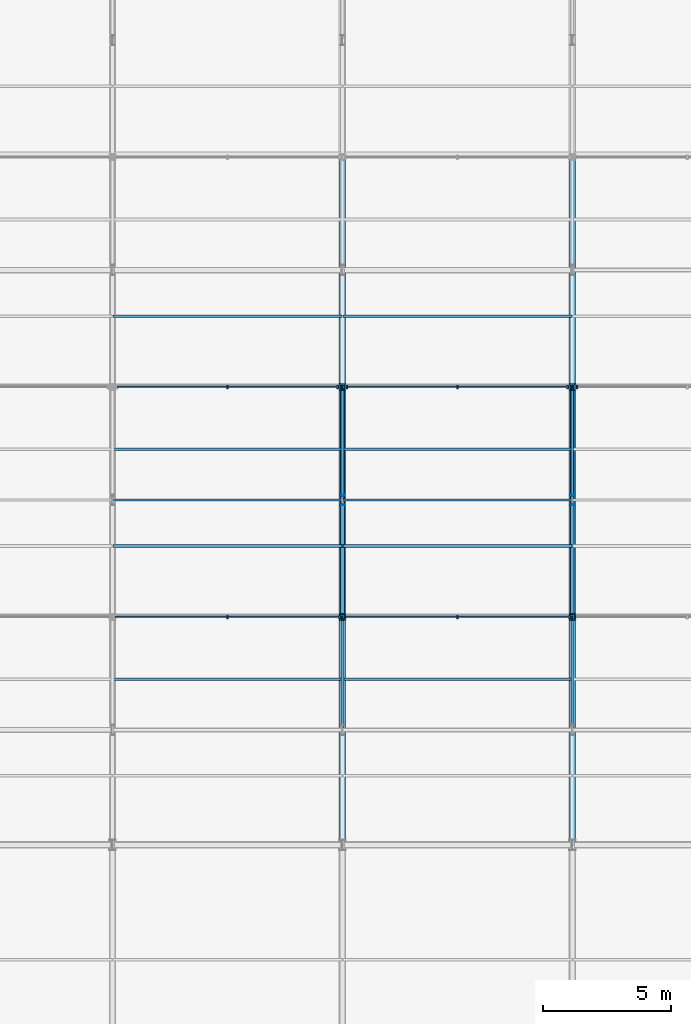
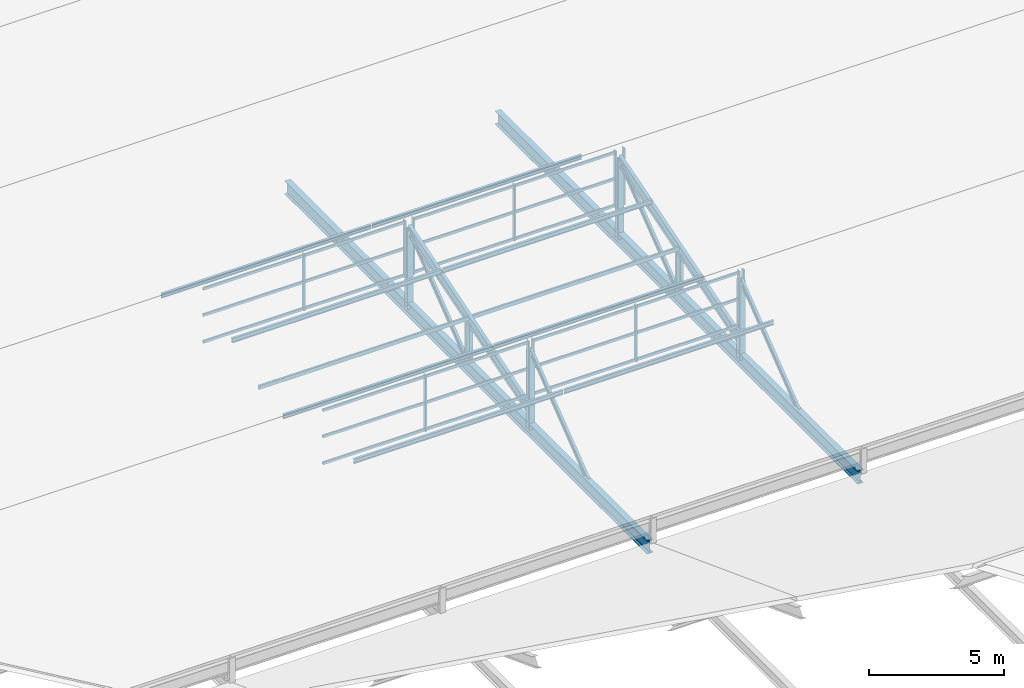
# One storey, part 51 of 163: 58 members, 2 beams, 6 elements without a shape of their own.
"""IFC4 building model written with IfcOpenShell, lengths in metres."""

from ifc_helpers import new_model, si_unit, direction, frame, origin, origin_2d, place, context, subcontext, project, spatial, rectangle, hollow_rectangle, i_section, extrude, material, material_profile, profile_set, type_object, element, aggregate, save


model = new_model("IFC4")

# Units and contexts
model_context = context("Model", 3, precision=1e-05, world=origin(), true_north=direction((0.0, 1.0)))
body_context = subcontext(model_context, "Body", "Model", "MODEL_VIEW")
ifc_project = project(units=[si_unit("LENGTHUNIT", "METRE"), si_unit("AREAUNIT", "SQUARE_METRE"), si_unit("VOLUMEUNIT", "CUBIC_METRE"), si_unit("PLANEANGLEUNIT", "RADIAN"), si_unit("MASSUNIT", "GRAM", prefix="KILO")], contexts=[model_context])

# Site, building, storey
site_placement = place(None, origin())
site = spatial("IfcSite", under=ifc_project, at=site_placement, CompositionType="ELEMENT")
building_placement = place(site_placement, origin())
building = spatial("IfcBuilding", under=site, at=building_placement, Name="Tharagai Park Tramway Depot", CompositionType="ELEMENT")
storey_placement = place(building_placement, frame((0.0, 0.0, 8.39990234375)))
storey = spatial("IfcBuildingStorey", under=building, at=storey_placement, Name="L02", CompositionType="ELEMENT", Elevation=8.39990234375)

# Beams
ifc_material_1 = material(Name="Steel E350", Category="steel")
ifc_material_profile_1 = material_profile(ifc_material_1, i_section(OverallWidth=0.25, OverallDepth=0.60009765625, WebThickness=0.01171875, FlangeThickness=0.023681640625, FilletRadius=0.01708984375, at=origin_2d()), Name="ISWB 600")
ifc_profile_set_1 = profile_set([ifc_material_profile_1], Name="Steel E350")
beam_type = type_object("IfcBeamType", Name="BM-01", PredefinedType="BEAM", material=ifc_profile_set_1)
for number, where, z_axis, x_axis, name in (
    (1, (54.0, 90.080078125, -0.25), (0.0, 1.0, 0.0), (-1.0, 0.0, 0.0), "Sawtooth Truss Bottom Tie Girder BM-01"),
    (2, (63.0, 90.080078125, -0.25), (0.0, 1.0, 0.0), (-1.0, 0.0, 0.0), "Sawtooth Truss Bottom Tie Girder BM-01"),
):
    element("IfcBeam", number, at=place(storey_placement, frame(where, z_axis=z_axis, x_axis=x_axis)), inside=storey, type_object=beam_type, Name=name, PredefinedType="BEAM", context=body_context, shape_type="SweptSolid", body=[
        extrude(i_section(OverallWidth=0.25, OverallDepth=0.60009765625, WebThickness=0.01171875, FlangeThickness=0.023681640625, FilletRadius=0.01708984375, at=origin_2d()), origin(), (0.0, 0.0, 1.0), 26.83984375),
    ])

# Members
ifc_material_profile_2 = material_profile(ifc_material_1, i_section(OverallWidth=0.25, OverallDepth=0.25, WebThickness=0.0087890625, FlangeThickness=0.009765625, FilletRadius=0.010009765625, at=origin_2d()), Name="ISHB 250")
ifc_profile_set_2 = profile_set([ifc_material_profile_2], Name="Steel E350")
member_type_1 = type_object("IfcMemberType", Name="BR-01", PredefinedType="BRACE", material=ifc_profile_set_2)
for number, where, z_axis, x_axis, name in (
    (3, (54.0, 98.919921875, -0.25), (0.0, 0.0, 1.0), (1.0, 0.0, 0.0), "Sawtooth North Vertical Post BR-01"),
    (4, (54.0, 107.919921875, -0.25), (0.0, 0.0, 1.0), (1.0, 0.0, 0.0), "Sawtooth North Vertical Post BR-01"),
    (5, (63.0, 98.919921875, -0.25), (0.0, 0.0, 1.0), (1.0, 0.0, 0.0), "Sawtooth North Vertical Post BR-01"),
    (6, (63.0, 107.919921875, -0.25), (0.0, 0.0, 1.0), (1.0, 0.0, 0.0), "Sawtooth North Vertical Post BR-01"),
):
    element("IfcMember", number, at=place(storey_placement, frame(where, z_axis=z_axis, x_axis=x_axis)), inside=storey, type_object=member_type_1, Name=name, PredefinedType="BRACE", context=body_context, shape_type="SweptSolid", body=[
        extrude(i_section(OverallWidth=0.25, OverallDepth=0.25, WebThickness=0.0087890625, FlangeThickness=0.009765625, FilletRadius=0.010009765625, at=origin_2d()), origin(), (0.0, 0.0, 1.0), 3.55517578125),
    ])
ifc_material_profile_3 = material_profile(ifc_material_1, i_section(OverallWidth=0.110107421875, OverallDepth=0.22509765625, WebThickness=0.006591796875, FlangeThickness=0.01171875, FilletRadius=0.011962890625, at=origin_2d()), Name="ISMB 225")
ifc_profile_set_3 = profile_set([ifc_material_profile_3], Name="Steel E350")
member_type_2 = type_object("IfcMemberType", Name="BR-04", PredefinedType="BRACE", material=ifc_profile_set_3)
for number, where, z_axis, x_axis, name in (
    (7, (54.0, 94.64990234375, 0.0), (0.0, 0.790781596, 0.612098413188), (-1.0, 0.0, 0.0), "Sawtooth Truss Web Diagonal BR-04"),
    (8, (54.0, 103.64990234375, 0.0), (0.0, 0.790781596, 0.612098413188), (-1.0, 0.0, 0.0), "Sawtooth Truss Web Diagonal BR-04"),
    (9, (63.0, 94.64990234375, 0.0), (0.0, 0.790781596, 0.612098413188), (-1.0, 0.0, 0.0), "Sawtooth Truss Web Diagonal BR-04"),
    (10, (63.0, 103.64990234375, 0.0), (0.0, 0.790781596, 0.612098413188), (-1.0, 0.0, 0.0), "Sawtooth Truss Web Diagonal BR-04"),
):
    element("IfcMember", number, at=place(storey_placement, frame(where, z_axis=z_axis, x_axis=x_axis)), inside=storey, type_object=member_type_2, Name=name, PredefinedType="BRACE", context=body_context, shape_type="SweptSolid", body=[
        extrude(i_section(OverallWidth=0.110107421875, OverallDepth=0.22509765625, WebThickness=0.006591796875, FlangeThickness=0.01171875, FilletRadius=0.011962890625, at=origin_2d()), origin(), (0.0, 0.0, 1.0), 5.399658203125),
    ])

# Curtain wall, members
ifc_material_2 = material(Name="Anodised aluminium", Category="aluminium")
curtain_wall_type_1 = type_object("IfcCurtainWallType", Name="CW-04", PredefinedType="NOTDEFINED", material=ifc_material_2)
curtain_wall_1_placement = place(storey_placement, origin())
curtain_wall_1 = element("IfcCurtainWall", 11, at=curtain_wall_1_placement, inside=storey, type_object=curtain_wall_type_1, Name="Sawtooth North-Light Clerestory CW-04", PredefinedType="NOTDEFINED")
ifc_material_profile_4 = material_profile(ifc_material_2, rectangle(XDim=0.06494140625, YDim=0.1201171875, at=origin_2d()), Name="ALU 65x120")
ifc_profile_set_4 = profile_set([ifc_material_profile_4], Name="Anodised aluminium")
member_type_3 = type_object("IfcMemberType", Name="CM-01", PredefinedType="USERDEFINED", material=ifc_profile_set_4)
member_1_placement = place(storey_placement, frame((45.114990234375, 98.919921875, 1.26513671875), z_axis=(1.0, 0.0, 0.0), x_axis=(0.0, 1.0, 0.0)))
member_1 = element("IfcMember", 12, at=member_1_placement, type_object=member_type_3, Name="Sawtooth North-Light Clerestory Transom 1.1", ObjectType="TRANSOM", PredefinedType="USERDEFINED", context=body_context, shape_type="SweptSolid", body=[
    extrude(rectangle(XDim=0.06494140625, YDim=0.1201171875, at=origin_2d()), origin(), (0.0, 0.0, 1.0), 4.3701171875),
])
member_2_placement = place(storey_placement, frame((45.114990234375, 98.919921875, 2.4736328125), z_axis=(1.0, 0.0, 0.0), x_axis=(0.0, 1.0, 0.0)))
member_2 = element("IfcMember", 13, at=member_2_placement, type_object=member_type_3, Name="Sawtooth North-Light Clerestory Transom 1.2", ObjectType="TRANSOM", PredefinedType="USERDEFINED", context=body_context, shape_type="SweptSolid", body=[
    extrude(rectangle(XDim=0.06494140625, YDim=0.1201171875, at=origin_2d()), origin(), (0.0, 0.0, 1.0), 4.3701171875),
])
member_3_placement = place(storey_placement, frame((45.114990234375, 98.919921875, 3.662353515625), z_axis=(1.0, 0.0, 0.0), x_axis=(0.0, 1.0, 0.0)))
member_3 = element("IfcMember", 14, at=member_3_placement, type_object=member_type_3, Name="Sawtooth North-Light Clerestory Transom 1.3", ObjectType="TRANSOM", PredefinedType="USERDEFINED", context=body_context, shape_type="SweptSolid", body=[
    extrude(rectangle(XDim=0.06494140625, YDim=0.1201171875, at=origin_2d()), origin(), (0.0, 0.0, 1.0), 4.3701171875),
])
member_4_placement = place(storey_placement, frame((49.514892578125, 98.919921875, 1.26513671875), z_axis=(1.0, 0.0, 0.0), x_axis=(0.0, 1.0, 0.0)))
member_4 = element("IfcMember", 15, at=member_4_placement, type_object=member_type_3, Name="Sawtooth North-Light Clerestory Transom 2.1", ObjectType="TRANSOM", PredefinedType="USERDEFINED", context=body_context, shape_type="SweptSolid", body=[
    extrude(rectangle(XDim=0.06494140625, YDim=0.1201171875, at=origin_2d()), origin(), (0.0, 0.0, 1.0), 4.3701171875),
])
member_5_placement = place(storey_placement, frame((49.514892578125, 98.919921875, 2.4736328125), z_axis=(1.0, 0.0, 0.0), x_axis=(0.0, 1.0, 0.0)))
member_5 = element("IfcMember", 16, at=member_5_placement, type_object=member_type_3, Name="Sawtooth North-Light Clerestory Transom 2.2", ObjectType="TRANSOM", PredefinedType="USERDEFINED", context=body_context, shape_type="SweptSolid", body=[
    extrude(rectangle(XDim=0.06494140625, YDim=0.1201171875, at=origin_2d()), origin(), (0.0, 0.0, 1.0), 4.3701171875),
])
member_6_placement = place(storey_placement, frame((49.514892578125, 98.919921875, 3.662353515625), z_axis=(1.0, 0.0, 0.0), x_axis=(0.0, 1.0, 0.0)))
member_6 = element("IfcMember", 17, at=member_6_placement, type_object=member_type_3, Name="Sawtooth North-Light Clerestory Transom 2.3", ObjectType="TRANSOM", PredefinedType="USERDEFINED", context=body_context, shape_type="SweptSolid", body=[
    extrude(rectangle(XDim=0.06494140625, YDim=0.1201171875, at=origin_2d()), origin(), (0.0, 0.0, 1.0), 4.3701171875),
])

curtain_wall_2_placement = place(storey_placement, origin())
curtain_wall_2 = element("IfcCurtainWall", 18, at=curtain_wall_2_placement, inside=storey, type_object=curtain_wall_type_1, Name="Sawtooth North-Light Clerestory CW-04", PredefinedType="NOTDEFINED")
member_7_placement = place(storey_placement, frame((54.114990234375, 98.919921875, 1.26513671875), z_axis=(1.0, 0.0, 0.0), x_axis=(0.0, 1.0, 0.0)))
member_7 = element("IfcMember", 19, at=member_7_placement, type_object=member_type_3, Name="Sawtooth North-Light Clerestory Transom 1.1", ObjectType="TRANSOM", PredefinedType="USERDEFINED", context=body_context, shape_type="SweptSolid", body=[
    extrude(rectangle(XDim=0.06494140625, YDim=0.1201171875, at=origin_2d()), origin(), (0.0, 0.0, 1.0), 4.3701171875),
])
member_8_placement = place(storey_placement, frame((54.114990234375, 98.919921875, 2.4736328125), z_axis=(1.0, 0.0, 0.0), x_axis=(0.0, 1.0, 0.0)))
member_8 = element("IfcMember", 20, at=member_8_placement, type_object=member_type_3, Name="Sawtooth North-Light Clerestory Transom 1.2", ObjectType="TRANSOM", PredefinedType="USERDEFINED", context=body_context, shape_type="SweptSolid", body=[
    extrude(rectangle(XDim=0.06494140625, YDim=0.1201171875, at=origin_2d()), origin(), (0.0, 0.0, 1.0), 4.3701171875),
])
member_9_placement = place(storey_placement, frame((54.114990234375, 98.919921875, 3.662353515625), z_axis=(1.0, 0.0, 0.0), x_axis=(0.0, 1.0, 0.0)))
member_9 = element("IfcMember", 21, at=member_9_placement, type_object=member_type_3, Name="Sawtooth North-Light Clerestory Transom 1.3", ObjectType="TRANSOM", PredefinedType="USERDEFINED", context=body_context, shape_type="SweptSolid", body=[
    extrude(rectangle(XDim=0.06494140625, YDim=0.1201171875, at=origin_2d()), origin(), (0.0, 0.0, 1.0), 4.3701171875),
])
member_10_placement = place(storey_placement, frame((58.514892578125, 98.919921875, 1.26513671875), z_axis=(1.0, 0.0, 0.0), x_axis=(0.0, 1.0, 0.0)))
member_10 = element("IfcMember", 22, at=member_10_placement, type_object=member_type_3, Name="Sawtooth North-Light Clerestory Transom 2.1", ObjectType="TRANSOM", PredefinedType="USERDEFINED", context=body_context, shape_type="SweptSolid", body=[
    extrude(rectangle(XDim=0.06494140625, YDim=0.1201171875, at=origin_2d()), origin(), (0.0, 0.0, 1.0), 4.3701171875),
])
member_11_placement = place(storey_placement, frame((58.514892578125, 98.919921875, 2.4736328125), z_axis=(1.0, 0.0, 0.0), x_axis=(0.0, 1.0, 0.0)))
member_11 = element("IfcMember", 23, at=member_11_placement, type_object=member_type_3, Name="Sawtooth North-Light Clerestory Transom 2.2", ObjectType="TRANSOM", PredefinedType="USERDEFINED", context=body_context, shape_type="SweptSolid", body=[
    extrude(rectangle(XDim=0.06494140625, YDim=0.1201171875, at=origin_2d()), origin(), (0.0, 0.0, 1.0), 4.3701171875),
])
member_12_placement = place(storey_placement, frame((58.514892578125, 98.919921875, 3.662353515625), z_axis=(1.0, 0.0, 0.0), x_axis=(0.0, 1.0, 0.0)))
member_12 = element("IfcMember", 24, at=member_12_placement, type_object=member_type_3, Name="Sawtooth North-Light Clerestory Transom 2.3", ObjectType="TRANSOM", PredefinedType="USERDEFINED", context=body_context, shape_type="SweptSolid", body=[
    extrude(rectangle(XDim=0.06494140625, YDim=0.1201171875, at=origin_2d()), origin(), (0.0, 0.0, 1.0), 4.3701171875),
])

curtain_wall_type_2 = type_object("IfcCurtainWallType", Name="CW-03", PredefinedType="NOTDEFINED", material=ifc_material_2)
curtain_wall_3_placement = place(storey_placement, origin())
curtain_wall_3 = element("IfcCurtainWall", 25, at=curtain_wall_3_placement, inside=storey, type_object=curtain_wall_type_2, Name="Sawtooth North-Light Clerestory CW-03", PredefinedType="NOTDEFINED")
member_13_placement = place(storey_placement, frame((45.195068359375, 107.919921875, 1.26513671875), z_axis=(1.0, 0.0, 0.0), x_axis=(0.0, 1.0, 0.0)))
member_13 = element("IfcMember", 26, at=member_13_placement, type_object=member_type_3, Name="Sawtooth North-Light Clerestory Transom 1.1", ObjectType="TRANSOM", PredefinedType="USERDEFINED", context=body_context, shape_type="SweptSolid", body=[
    extrude(rectangle(XDim=0.06494140625, YDim=0.1201171875, at=origin_2d()), origin(), (0.0, 0.0, 1.0), 4.2900390625),
])
member_14_placement = place(storey_placement, frame((45.195068359375, 107.919921875, 2.4736328125), z_axis=(1.0, 0.0, 0.0), x_axis=(0.0, 1.0, 0.0)))
member_14 = element("IfcMember", 27, at=member_14_placement, type_object=member_type_3, Name="Sawtooth North-Light Clerestory Transom 1.2", ObjectType="TRANSOM", PredefinedType="USERDEFINED", context=body_context, shape_type="SweptSolid", body=[
    extrude(rectangle(XDim=0.06494140625, YDim=0.1201171875, at=origin_2d()), origin(), (0.0, 0.0, 1.0), 4.2900390625),
])
member_15_placement = place(storey_placement, frame((45.195068359375, 107.919921875, 3.662353515625), z_axis=(1.0, 0.0, 0.0), x_axis=(0.0, 1.0, 0.0)))
member_15 = element("IfcMember", 28, at=member_15_placement, type_object=member_type_3, Name="Sawtooth North-Light Clerestory Transom 1.3", ObjectType="TRANSOM", PredefinedType="USERDEFINED", context=body_context, shape_type="SweptSolid", body=[
    extrude(rectangle(XDim=0.06494140625, YDim=0.1201171875, at=origin_2d()), origin(), (0.0, 0.0, 1.0), 4.2900390625),
])
member_16_placement = place(storey_placement, frame((49.514892578125, 107.919921875, 1.26513671875), z_axis=(1.0, 0.0, 0.0), x_axis=(0.0, 1.0, 0.0)))
member_16 = element("IfcMember", 29, at=member_16_placement, type_object=member_type_3, Name="Sawtooth North-Light Clerestory Transom 2.1", ObjectType="TRANSOM", PredefinedType="USERDEFINED", context=body_context, shape_type="SweptSolid", body=[
    extrude(rectangle(XDim=0.06494140625, YDim=0.1201171875, at=origin_2d()), origin(), (0.0, 0.0, 1.0), 4.2900390625),
])
member_17_placement = place(storey_placement, frame((49.514892578125, 107.919921875, 2.4736328125), z_axis=(1.0, 0.0, 0.0), x_axis=(0.0, 1.0, 0.0)))
member_17 = element("IfcMember", 30, at=member_17_placement, type_object=member_type_3, Name="Sawtooth North-Light Clerestory Transom 2.2", ObjectType="TRANSOM", PredefinedType="USERDEFINED", context=body_context, shape_type="SweptSolid", body=[
    extrude(rectangle(XDim=0.06494140625, YDim=0.1201171875, at=origin_2d()), origin(), (0.0, 0.0, 1.0), 4.2900390625),
])
member_18_placement = place(storey_placement, frame((49.514892578125, 107.919921875, 3.662353515625), z_axis=(1.0, 0.0, 0.0), x_axis=(0.0, 1.0, 0.0)))
member_18 = element("IfcMember", 31, at=member_18_placement, type_object=member_type_3, Name="Sawtooth North-Light Clerestory Transom 2.3", ObjectType="TRANSOM", PredefinedType="USERDEFINED", context=body_context, shape_type="SweptSolid", body=[
    extrude(rectangle(XDim=0.06494140625, YDim=0.1201171875, at=origin_2d()), origin(), (0.0, 0.0, 1.0), 4.2900390625),
])

curtain_wall_4_placement = place(storey_placement, origin())
curtain_wall_4 = element("IfcCurtainWall", 32, at=curtain_wall_4_placement, inside=storey, type_object=curtain_wall_type_2, Name="Sawtooth North-Light Clerestory CW-03", PredefinedType="NOTDEFINED")
member_19_placement = place(storey_placement, frame((54.195068359375, 107.919921875, 1.26513671875), z_axis=(1.0, 0.0, 0.0), x_axis=(0.0, 1.0, 0.0)))
member_19 = element("IfcMember", 33, at=member_19_placement, type_object=member_type_3, Name="Sawtooth North-Light Clerestory Transom 1.1", ObjectType="TRANSOM", PredefinedType="USERDEFINED", context=body_context, shape_type="SweptSolid", body=[
    extrude(rectangle(XDim=0.06494140625, YDim=0.1201171875, at=origin_2d()), origin(), (0.0, 0.0, 1.0), 4.2900390625),
])
member_20_placement = place(storey_placement, frame((54.195068359375, 107.919921875, 2.4736328125), z_axis=(1.0, 0.0, 0.0), x_axis=(0.0, 1.0, 0.0)))
member_20 = element("IfcMember", 34, at=member_20_placement, type_object=member_type_3, Name="Sawtooth North-Light Clerestory Transom 1.2", ObjectType="TRANSOM", PredefinedType="USERDEFINED", context=body_context, shape_type="SweptSolid", body=[
    extrude(rectangle(XDim=0.06494140625, YDim=0.1201171875, at=origin_2d()), origin(), (0.0, 0.0, 1.0), 4.2900390625),
])
member_21_placement = place(storey_placement, frame((54.195068359375, 107.919921875, 3.662353515625), z_axis=(1.0, 0.0, 0.0), x_axis=(0.0, 1.0, 0.0)))
member_21 = element("IfcMember", 35, at=member_21_placement, type_object=member_type_3, Name="Sawtooth North-Light Clerestory Transom 1.3", ObjectType="TRANSOM", PredefinedType="USERDEFINED", context=body_context, shape_type="SweptSolid", body=[
    extrude(rectangle(XDim=0.06494140625, YDim=0.1201171875, at=origin_2d()), origin(), (0.0, 0.0, 1.0), 4.2900390625),
])
member_22_placement = place(storey_placement, frame((58.514892578125, 107.919921875, 1.26513671875), z_axis=(1.0, 0.0, 0.0), x_axis=(0.0, 1.0, 0.0)))
member_22 = element("IfcMember", 36, at=member_22_placement, type_object=member_type_3, Name="Sawtooth North-Light Clerestory Transom 2.1", ObjectType="TRANSOM", PredefinedType="USERDEFINED", context=body_context, shape_type="SweptSolid", body=[
    extrude(rectangle(XDim=0.06494140625, YDim=0.1201171875, at=origin_2d()), origin(), (0.0, 0.0, 1.0), 4.2900390625),
])
member_23_placement = place(storey_placement, frame((58.514892578125, 107.919921875, 2.4736328125), z_axis=(1.0, 0.0, 0.0), x_axis=(0.0, 1.0, 0.0)))
member_23 = element("IfcMember", 37, at=member_23_placement, type_object=member_type_3, Name="Sawtooth North-Light Clerestory Transom 2.2", ObjectType="TRANSOM", PredefinedType="USERDEFINED", context=body_context, shape_type="SweptSolid", body=[
    extrude(rectangle(XDim=0.06494140625, YDim=0.1201171875, at=origin_2d()), origin(), (0.0, 0.0, 1.0), 4.2900390625),
])
member_24_placement = place(storey_placement, frame((58.514892578125, 107.919921875, 3.662353515625), z_axis=(1.0, 0.0, 0.0), x_axis=(0.0, 1.0, 0.0)))
member_24 = element("IfcMember", 38, at=member_24_placement, type_object=member_type_3, Name="Sawtooth North-Light Clerestory Transom 2.3", ObjectType="TRANSOM", PredefinedType="USERDEFINED", context=body_context, shape_type="SweptSolid", body=[
    extrude(rectangle(XDim=0.06494140625, YDim=0.1201171875, at=origin_2d()), origin(), (0.0, 0.0, 1.0), 4.2900390625),
])

# Member
ifc_material_profile_5 = material_profile(ifc_material_2, rectangle(XDim=0.06494140625, YDim=0.14990234375, at=origin_2d()), Name="ALU 65x150")
ifc_profile_set_5 = profile_set([ifc_material_profile_5], Name="Anodised aluminium")
member_type_4 = type_object("IfcMemberType", Name="CM-03", PredefinedType="MULLION", material=ifc_profile_set_5)
member_25_placement = place(storey_placement, frame((49.5, 98.919921875, 1.2001953125), z_axis=(0.0, 0.0, 1.0), x_axis=(1.0, 0.0, 0.0)))
member_25 = element("IfcMember", 39, at=member_25_placement, type_object=member_type_4, Name="Sawtooth North-Light Clerestory Mullion 2", PredefinedType="MULLION", context=body_context, shape_type="SweptSolid", body=[
    extrude(rectangle(XDim=0.06494140625, YDim=0.14990234375, at=origin_2d()), origin(), (0.0, 0.0, 1.0), 2.547119140625),
])

member_26_placement = place(storey_placement, frame((53.89990234375, 98.919921875, 1.2001953125), z_axis=(0.0, 0.0, 1.0), x_axis=(1.0, 0.0, 0.0)))
member_26 = element("IfcMember", 40, at=member_26_placement, type_object=member_type_4, Name="Sawtooth North-Light Clerestory Mullion 3", PredefinedType="MULLION", context=body_context, shape_type="SweptSolid", body=[
    extrude(rectangle(XDim=0.06494140625, YDim=0.14990234375, at=origin_2d()), origin(), (0.0, 0.0, 1.0), 2.547119140625),
])

aggregate(curtain_wall_1, [member_25, member_26, member_1, member_2, member_3, member_4, member_5, member_6])

member_27_placement = place(storey_placement, frame((54.10009765625, 98.919921875, 1.2001953125), z_axis=(0.0, 0.0, 1.0), x_axis=(1.0, 0.0, 0.0)))
member_27 = element("IfcMember", 41, at=member_27_placement, type_object=member_type_4, Name="Sawtooth North-Light Clerestory Mullion 1", PredefinedType="MULLION", context=body_context, shape_type="SweptSolid", body=[
    extrude(rectangle(XDim=0.06494140625, YDim=0.14990234375, at=origin_2d()), origin(), (0.0, 0.0, 1.0), 2.547119140625),
])

member_28_placement = place(storey_placement, frame((58.5, 98.919921875, 1.2001953125), z_axis=(0.0, 0.0, 1.0), x_axis=(1.0, 0.0, 0.0)))
member_28 = element("IfcMember", 42, at=member_28_placement, type_object=member_type_4, Name="Sawtooth North-Light Clerestory Mullion 2", PredefinedType="MULLION", context=body_context, shape_type="SweptSolid", body=[
    extrude(rectangle(XDim=0.06494140625, YDim=0.14990234375, at=origin_2d()), origin(), (0.0, 0.0, 1.0), 2.547119140625),
])

member_29_placement = place(storey_placement, frame((62.89990234375, 98.919921875, 1.2001953125), z_axis=(0.0, 0.0, 1.0), x_axis=(1.0, 0.0, 0.0)))
member_29 = element("IfcMember", 43, at=member_29_placement, type_object=member_type_4, Name="Sawtooth North-Light Clerestory Mullion 3", PredefinedType="MULLION", context=body_context, shape_type="SweptSolid", body=[
    extrude(rectangle(XDim=0.06494140625, YDim=0.14990234375, at=origin_2d()), origin(), (0.0, 0.0, 1.0), 2.547119140625),
])

aggregate(curtain_wall_2, [member_27, member_28, member_29, member_7, member_8, member_9, member_10, member_11, member_12])

# Curtain wall, member
curtain_wall_5_placement = place(storey_placement, origin())
curtain_wall_5 = element("IfcCurtainWall", 44, at=curtain_wall_5_placement, inside=storey, type_object=curtain_wall_type_1, Name="Sawtooth North-Light Clerestory CW-04", PredefinedType="NOTDEFINED")
member_30_placement = place(storey_placement, frame((63.10009765625, 98.919921875, 1.2001953125), z_axis=(0.0, 0.0, 1.0), x_axis=(1.0, 0.0, 0.0)))
member_30 = element("IfcMember", 45, at=member_30_placement, type_object=member_type_4, Name="Sawtooth North-Light Clerestory Mullion 1", PredefinedType="MULLION", context=body_context, shape_type="SweptSolid", body=[
    extrude(rectangle(XDim=0.06494140625, YDim=0.14990234375, at=origin_2d()), origin(), (0.0, 0.0, 1.0), 2.547119140625),
])
aggregate(curtain_wall_5, [member_30])

# Member
member_31_placement = place(storey_placement, frame((49.5, 107.919921875, 1.2001953125), z_axis=(0.0, 0.0, 1.0), x_axis=(1.0, 0.0, 0.0)))
member_31 = element("IfcMember", 46, at=member_31_placement, type_object=member_type_4, Name="Sawtooth North-Light Clerestory Mullion 2", PredefinedType="MULLION", context=body_context, shape_type="SweptSolid", body=[
    extrude(rectangle(XDim=0.06494140625, YDim=0.14990234375, at=origin_2d()), origin(), (0.0, 0.0, 1.0), 2.547119140625),
])

member_32_placement = place(storey_placement, frame((53.820068359375, 107.919921875, 1.2001953125), z_axis=(0.0, 0.0, 1.0), x_axis=(1.0, 0.0, 0.0)))
member_32 = element("IfcMember", 47, at=member_32_placement, type_object=member_type_4, Name="Sawtooth North-Light Clerestory Mullion 3", PredefinedType="MULLION", context=body_context, shape_type="SweptSolid", body=[
    extrude(rectangle(XDim=0.06494140625, YDim=0.14990234375, at=origin_2d()), origin(), (0.0, 0.0, 1.0), 2.547119140625),
])

aggregate(curtain_wall_3, [member_31, member_32, member_13, member_14, member_15, member_16, member_17, member_18])

member_33_placement = place(storey_placement, frame((54.179931640625, 107.919921875, 1.2001953125), z_axis=(0.0, 0.0, 1.0), x_axis=(1.0, 0.0, 0.0)))
member_33 = element("IfcMember", 48, at=member_33_placement, type_object=member_type_4, Name="Sawtooth North-Light Clerestory Mullion 1", PredefinedType="MULLION", context=body_context, shape_type="SweptSolid", body=[
    extrude(rectangle(XDim=0.06494140625, YDim=0.14990234375, at=origin_2d()), origin(), (0.0, 0.0, 1.0), 2.547119140625),
])

member_34_placement = place(storey_placement, frame((58.5, 107.919921875, 1.2001953125), z_axis=(0.0, 0.0, 1.0), x_axis=(1.0, 0.0, 0.0)))
member_34 = element("IfcMember", 49, at=member_34_placement, type_object=member_type_4, Name="Sawtooth North-Light Clerestory Mullion 2", PredefinedType="MULLION", context=body_context, shape_type="SweptSolid", body=[
    extrude(rectangle(XDim=0.06494140625, YDim=0.14990234375, at=origin_2d()), origin(), (0.0, 0.0, 1.0), 2.547119140625),
])

member_35_placement = place(storey_placement, frame((62.820068359375, 107.919921875, 1.2001953125), z_axis=(0.0, 0.0, 1.0), x_axis=(1.0, 0.0, 0.0)))
member_35 = element("IfcMember", 50, at=member_35_placement, type_object=member_type_4, Name="Sawtooth North-Light Clerestory Mullion 3", PredefinedType="MULLION", context=body_context, shape_type="SweptSolid", body=[
    extrude(rectangle(XDim=0.06494140625, YDim=0.14990234375, at=origin_2d()), origin(), (0.0, 0.0, 1.0), 2.547119140625),
])

aggregate(curtain_wall_4, [member_33, member_34, member_35, member_19, member_20, member_21, member_22, member_23, member_24])

# Curtain wall, member
curtain_wall_6_placement = place(storey_placement, origin())
curtain_wall_6 = element("IfcCurtainWall", 51, at=curtain_wall_6_placement, inside=storey, type_object=curtain_wall_type_2, Name="Sawtooth North-Light Clerestory CW-03", PredefinedType="NOTDEFINED")
member_36_placement = place(storey_placement, frame((63.179931640625, 107.919921875, 1.2001953125), z_axis=(0.0, 0.0, 1.0), x_axis=(1.0, 0.0, 0.0)))
member_36 = element("IfcMember", 52, at=member_36_placement, type_object=member_type_4, Name="Sawtooth North-Light Clerestory Mullion 1", PredefinedType="MULLION", context=body_context, shape_type="SweptSolid", body=[
    extrude(rectangle(XDim=0.06494140625, YDim=0.14990234375, at=origin_2d()), origin(), (0.0, 0.0, 1.0), 2.547119140625),
])
aggregate(curtain_wall_6, [member_36])

# Members
ifc_material_3 = material(Name="Steel E250", Category="steel")
ifc_material_profile_6 = material_profile(ifc_material_3, i_section(OverallWidth=0.10009765625, OverallDepth=0.199951171875, WebThickness=0.00537109375, FlangeThickness=0.00732421875, FilletRadius=0.009033203125, at=origin_2d()), Name="ISLB 200")
ifc_profile_set_6 = profile_set([ifc_material_profile_6], Name="Steel E250")
member_type_5 = type_object("IfcMemberType", Name="PR-03", PredefinedType="PURLIN", material=ifc_profile_set_6)
for number, where, z_axis, x_axis, name in (
    (53, (45.02001953125, 101.699951171875, 1.733154296875), (1.0, 0.0, 0.0), (0.0, 1.0, 0.0), "Sawtooth Roof Purlin PR-03"),
    (54, (45.02001953125, 105.47998046875, 2.87451171875), (1.0, 0.0, 0.0), (0.0, 1.0, 0.0), "Sawtooth Roof Purlin PR-03"),
    (55, (54.02001953125, 101.699951171875, 1.733154296875), (1.0, 0.0, 0.0), (0.0, 1.0, 0.0), "Sawtooth Roof Purlin PR-03"),
    (56, (54.02001953125, 105.47998046875, 2.87451171875), (1.0, 0.0, 0.0), (0.0, 1.0, 0.0), "Sawtooth Roof Purlin PR-03"),
):
    element("IfcMember", number, at=place(storey_placement, frame(where, z_axis=z_axis, x_axis=x_axis)), inside=storey, type_object=member_type_5, Name=name, PredefinedType="PURLIN", context=body_context, shape_type="SweptSolid", body=[
        extrude(i_section(OverallWidth=0.10009765625, OverallDepth=0.199951171875, WebThickness=0.00537109375, FlangeThickness=0.00732421875, FilletRadius=0.009033203125, at=origin_2d()), origin(), (0.0, 0.0, 1.0), 8.9599609375),
    ])
ifc_material_profile_7 = material_profile(ifc_material_3, i_section(OverallWidth=0.10009765625, OverallDepth=0.199951171875, WebThickness=0.005615234375, FlangeThickness=0.0107421875, FilletRadius=0.010986328125, at=origin_2d()), Name="ISMB 200")
ifc_profile_set_7 = profile_set([ifc_material_profile_7], Name="Steel E250")
member_type_6 = type_object("IfcMemberType", Name="PR-04", PredefinedType="PURLIN", material=ifc_profile_set_7)
for number, where, z_axis, x_axis, name in (
    (57, (45.02001953125, 96.47998046875, 2.87451171875), (1.0, 0.0, 0.0), (0.0, 1.0, 0.0), "Sawtooth Roof Purlin PR-04"),
    (58, (45.02001953125, 110.699951171875, 1.733154296875), (1.0, 0.0, 0.0), (0.0, 1.0, 0.0), "Sawtooth Roof Purlin PR-04"),
    (59, (54.02001953125, 96.47998046875, 2.87451171875), (1.0, 0.0, 0.0), (0.0, 1.0, 0.0), "Sawtooth Roof Purlin PR-04"),
    (60, (54.02001953125, 110.699951171875, 1.733154296875), (1.0, 0.0, 0.0), (0.0, 1.0, 0.0), "Sawtooth Roof Purlin PR-04"),
):
    element("IfcMember", number, at=place(storey_placement, frame(where, z_axis=z_axis, x_axis=x_axis)), inside=storey, type_object=member_type_6, Name=name, PredefinedType="PURLIN", context=body_context, shape_type="SweptSolid", body=[
        extrude(i_section(OverallWidth=0.10009765625, OverallDepth=0.199951171875, WebThickness=0.005615234375, FlangeThickness=0.0107421875, FilletRadius=0.010986328125, at=origin_2d()), origin(), (0.0, 0.0, 1.0), 8.9599609375),
    ])
ifc_material_profile_8 = material_profile(ifc_material_1, hollow_rectangle(XDim=0.090087890625, YDim=0.179931640625, WallThickness=0.006103515625, InnerFilletRadius=0.006103515625, OuterFilletRadius=0.011962890625, at=origin_2d()), Name="RHS 180x90x6")
ifc_profile_set_8 = profile_set([ifc_material_profile_8], Name="Steel E350")
member_type_7 = type_object("IfcMemberType", Name="RF-05", PredefinedType="RAFTER", material=ifc_profile_set_8)
for number, where, z_axis, x_axis, name in (
    (61, (45.02001953125, 103.5, 1.946533203125), (1.0, 0.0, 0.0), (0.0, 1.0, 0.0), "Sawtooth Tubular Tie Strut RF-05"),
    (62, (54.02001953125, 103.5, 1.946533203125), (1.0, 0.0, 0.0), (0.0, 1.0, 0.0), "Sawtooth Tubular Tie Strut RF-05"),
):
    element("IfcMember", number, at=place(storey_placement, frame(where, z_axis=z_axis, x_axis=x_axis)), inside=storey, type_object=member_type_7, Name=name, PredefinedType="RAFTER", context=body_context, shape_type="SweptSolid", body=[
        extrude(hollow_rectangle(XDim=0.090087890625, YDim=0.179931640625, WallThickness=0.006103515625, InnerFilletRadius=0.006103515625, OuterFilletRadius=0.011962890625, at=origin_2d()), origin(), (0.0, 0.0, 1.0), 8.9599609375),
    ])
ifc_material_profile_9 = material_profile(ifc_material_1, i_section(OverallWidth=0.14990234375, OverallDepth=0.449951171875, WebThickness=0.009521484375, FlangeThickness=0.017333984375, FilletRadius=0.014892578125, at=origin_2d()), Name="ISMB 450")
ifc_profile_set_9 = profile_set([ifc_material_profile_9], Name="Steel E350")
member_type_8 = type_object("IfcMemberType", Name="TC-05", PredefinedType="CHORD", material=ifc_profile_set_9)
for number, where, z_axis, x_axis, name in (
    (63, (54.0, 99.06005859375, 0.587890625), (0.0, 0.956231486327, 0.29261125159), (-1.0, 0.0, 0.0), "Sawtooth Top Chord TC-05"),
    (64, (63.0, 99.06005859375, 0.587890625), (0.0, 0.956231486327, 0.29261125159), (-1.0, 0.0, 0.0), "Sawtooth Top Chord TC-05"),
):
    element("IfcMember", number, at=place(storey_placement, frame(where, z_axis=z_axis, x_axis=x_axis)), inside=storey, type_object=member_type_8, Name=name, PredefinedType="CHORD", context=body_context, shape_type="SweptSolid", body=[
        extrude(i_section(OverallWidth=0.14990234375, OverallDepth=0.449951171875, WebThickness=0.009521484375, FlangeThickness=0.017333984375, FilletRadius=0.014892578125, at=origin_2d()), origin(), (0.0, 0.0, 1.0), 9.286376953125),
    ])
ifc_material_profile_10 = material_profile(ifc_material_1, i_section(OverallWidth=0.139892578125, OverallDepth=0.39990234375, WebThickness=0.0087890625, FlangeThickness=0.01611328125, FilletRadius=0.013916015625, at=origin_2d()), Name="ISMB 400")
ifc_profile_set_10 = profile_set([ifc_material_profile_10], Name="Steel E350")
member_type_9 = type_object("IfcMemberType", Name="TC-06", PredefinedType="CHORD", material=ifc_profile_set_10)
for number, where, z_axis, x_axis, name in (
    (65, (54.0, 103.5, -0.0498046875), (0.0, 0.0, 1.0), (1.0, 0.0, 0.0), "Sawtooth Mid-Tooth Strut TC-06"),
    (66, (63.0, 103.5, -0.0498046875), (0.0, 0.0, 1.0), (1.0, 0.0, 0.0), "Sawtooth Mid-Tooth Strut TC-06"),
):
    element("IfcMember", number, at=place(storey_placement, frame(where, z_axis=z_axis, x_axis=x_axis)), inside=storey, type_object=member_type_9, Name=name, PredefinedType="CHORD", context=body_context, shape_type="SweptSolid", body=[
        extrude(i_section(OverallWidth=0.139892578125, OverallDepth=0.39990234375, WebThickness=0.0087890625, FlangeThickness=0.01611328125, FilletRadius=0.013916015625, at=origin_2d()), origin(), (0.0, 0.0, 1.0), 1.846435546875),
    ])

save(model, "model.ifc")
